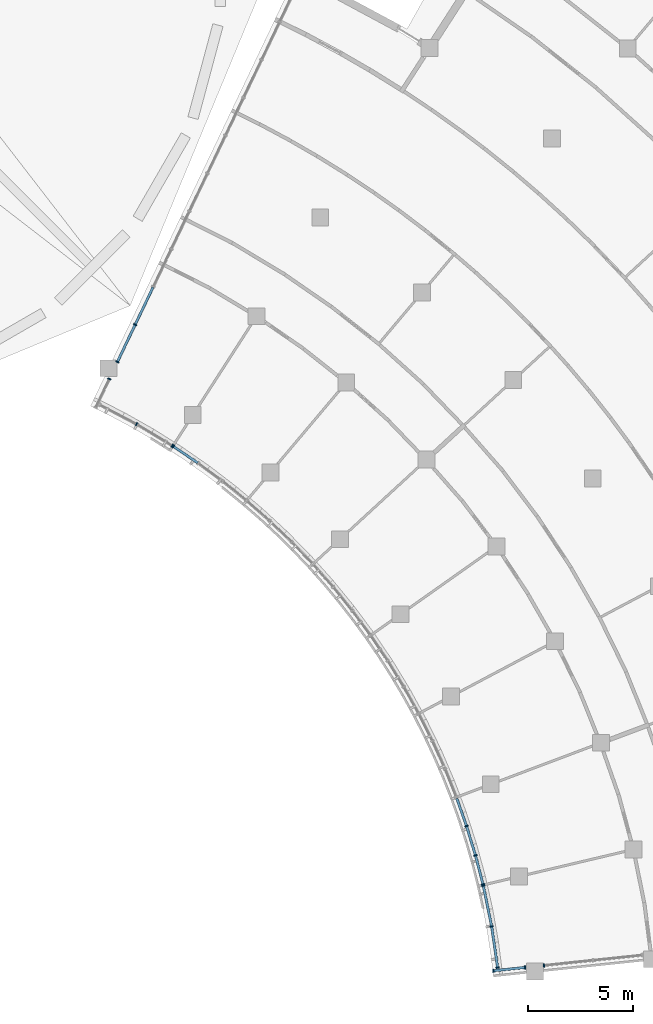
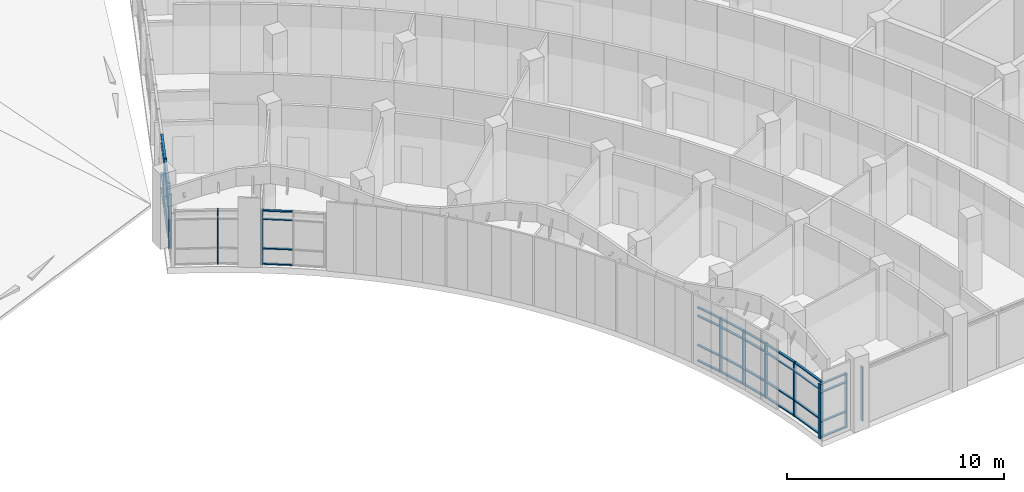
# One storey, part 8 of 137: 51 members, 8 elements without a shape of their own.
"""IFC4 building model written with IfcOpenShell, lengths in metres."""

from ifc_helpers import new_model, si_unit, direction, frame, origin, origin_2d, place, context, subcontext, project, spatial, rectangle, extrude, material, material_profile, profile_set, type_object, element, aggregate, save


model = new_model("IFC4")

# Units and contexts
model_context = context("Model", 3, precision=1e-05, world=origin(), true_north=direction((0.0, 1.0)))
body_context = subcontext(model_context, "Body", "Model", "MODEL_VIEW")
ifc_project = project(units=[si_unit("LENGTHUNIT", "METRE"), si_unit("AREAUNIT", "SQUARE_METRE"), si_unit("VOLUMEUNIT", "CUBIC_METRE"), si_unit("PLANEANGLEUNIT", "RADIAN"), si_unit("MASSUNIT", "GRAM", prefix="KILO")], contexts=[model_context])

# Site, building, storey
site_placement = place(None, origin())
site = spatial("IfcSite", under=ifc_project, at=site_placement, CompositionType="ELEMENT")
building_placement = place(site_placement, origin())
building = spatial("IfcBuilding", under=site, at=building_placement, Name="Bougainvillea Quay General Hospital", CompositionType="ELEMENT")
storey_placement = place(building_placement, frame((0.0, 0.0, 16.800048828125)))
storey = spatial("IfcBuildingStorey", under=building, at=storey_placement, Name="L03", CompositionType="ELEMENT", Elevation=16.800048828125)

# Curtain wall, members
ifc_material_1 = material(Name="Aluminium curtain wall system, powder-coated glazed", Category="aluminium")
curtain_wall_type_1 = type_object("IfcCurtainWallType", Name="Unitised curtain wall CW-1997", PredefinedType="NOTDEFINED", material=ifc_material_1)
curtain_wall_1_placement = place(storey_placement, origin())
curtain_wall_1 = element("IfcCurtainWall", 1, at=curtain_wall_1_placement, inside=storey, type_object=curtain_wall_type_1, Name="CW-AE 02", PredefinedType="NOTDEFINED")
ifc_material_2 = material(Name="Aluminium mullion, powder-coated charcoal", Category="aluminium")
ifc_material_profile_1 = material_profile(ifc_material_2, rectangle(XDim=0.159912109375, YDim=0.06005859375, at=origin_2d()))
ifc_profile_set_1 = profile_set([ifc_material_profile_1], Name="Aluminium mullion, powder-coated charcoal")
member_type_1 = type_object("IfcMemberType", Name="Curtain wall mullion 160x60", PredefinedType="MULLION", material=ifc_profile_set_1)
member_1_placement = place(storey_placement, frame((125.9638671875, 56.566162109375, 0.0), z_axis=(0.0, 0.0, 1.0), x_axis=(0.902578440897, -0.430525444112, 0.0)))
member_1 = element("IfcMember", 2, at=member_1_placement, type_object=member_type_1, Name="CW-AE mullion 10", PredefinedType="MULLION", context=body_context, shape_type="SweptSolid", body=[
    extrude(rectangle(XDim=0.159912109375, YDim=0.06005859375, at=origin_2d()), origin(), (0.0, 0.0, 1.0), 3.050048828125),
])
member_2_placement = place(storey_placement, frame((125.117431640625, 54.79150390625, 0.0), z_axis=(0.0, 0.0, 1.0), x_axis=(0.902578440897, -0.430525444112, 0.0)))
member_2 = element("IfcMember", 3, at=member_2_placement, type_object=member_type_1, Name="CW-AE mullion 11", PredefinedType="MULLION", context=body_context, shape_type="SweptSolid", body=[
    extrude(rectangle(XDim=0.159912109375, YDim=0.06005859375, at=origin_2d()), origin(), (0.0, 0.0, 1.0), 3.050048828125),
])

# Curtain wall, member
curtain_wall_type_2 = type_object("IfcCurtainWallType", Name="Unitised curtain wall CW-1580", PredefinedType="NOTDEFINED", material=ifc_material_1)
curtain_wall_2_placement = place(storey_placement, origin())
curtain_wall_2 = element("IfcCurtainWall", 4, at=curtain_wall_2_placement, inside=storey, type_object=curtain_wall_type_2, Name="CW-AE 03", PredefinedType="NOTDEFINED")
member_3_placement = place(storey_placement, frame((124.72998046875, 53.979248046875, 0.0), z_axis=(0.0, 0.0, 1.0), x_axis=(0.902578440897, -0.430525444112, 0.0)))
member_3 = element("IfcMember", 5, at=member_3_placement, type_object=member_type_1, Name="CW-AE mullion 1", PredefinedType="MULLION", context=body_context, shape_type="SweptSolid", body=[
    extrude(rectangle(XDim=0.159912109375, YDim=0.06005859375, at=origin_2d()), origin(), (0.0, 0.0, 1.0), 3.050048828125),
])
aggregate(curtain_wall_2, [member_3])

# Curtain wall, members
curtain_wall_type_3 = type_object("IfcCurtainWallType", Name="Unitised curtain wall CW-2100", PredefinedType="NOTDEFINED", material=ifc_material_1)
curtain_wall_3_placement = place(storey_placement, origin())
curtain_wall_3 = element("IfcCurtainWall", 6, at=curtain_wall_3_placement, inside=storey, type_object=curtain_wall_type_3, Name="CW-E01 a12b0", PredefinedType="NOTDEFINED")
member_4_placement = place(storey_placement, frame((126.035400390625, 51.82666015625, 0.0), z_axis=(0.0, 0.0, 1.0), x_axis=(0.491544628503, 0.870852385993, 0.0)))
member_4 = element("IfcMember", 7, at=member_4_placement, type_object=member_type_1, Name="CW-E01 mullion 2", PredefinedType="MULLION", context=body_context, shape_type="SweptSolid", body=[
    extrude(rectangle(XDim=0.159912109375, YDim=0.06005859375, at=origin_2d()), origin(), (0.0, 0.0, 1.0), 3.050048828125),
])
member_5_placement = place(storey_placement, frame((127.73388671875, 50.801025390625, 0.0), z_axis=(0.0, 0.0, 1.0), x_axis=(0.516937944525, 0.856022874409, 0.0)))
member_5 = element("IfcMember", 8, at=member_5_placement, type_object=member_type_1, Name="CW-E01 mullion 3", PredefinedType="MULLION", context=body_context, shape_type="SweptSolid", body=[
    extrude(rectangle(XDim=0.159912109375, YDim=0.06005859375, at=origin_2d()), origin(), (0.0, 0.0, 1.0), 3.050048828125),
])
aggregate(curtain_wall_3, [member_4, member_5])

# Curtain wall, member
curtain_wall_4_placement = place(storey_placement, origin())
curtain_wall_4 = element("IfcCurtainWall", 9, at=curtain_wall_4_placement, inside=storey, type_object=curtain_wall_type_3, Name="CW-E02 a12b1", PredefinedType="NOTDEFINED")
member_6_placement = place(storey_placement, frame((127.784423828125, 50.7685546875, 0.0), z_axis=(0.0, 0.0, 1.0), x_axis=(0.559636552705, 0.828738154592, 0.0)))
member_6 = element("IfcMember", 10, at=member_6_placement, type_object=member_type_1, Name="CW-E02 mullion 1", PredefinedType="MULLION", context=body_context, shape_type="SweptSolid", body=[
    extrude(rectangle(XDim=0.159912109375, YDim=0.06005859375, at=origin_2d()), origin(), (0.0, 0.0, 1.0), 3.050048828125),
])

# Curtain wall, members
curtain_wall_5_placement = place(storey_placement, origin())
curtain_wall_5 = element("IfcCurtainWall", 11, at=curtain_wall_5_placement, inside=storey, type_object=curtain_wall_type_3, Name="CW-E07 a12b6", PredefinedType="NOTDEFINED")
member_7_placement = place(storey_placement, frame((141.73828125, 32.692138671875, 0.0), z_axis=(0.0, 0.0, 1.0), x_axis=(0.950022917464, 0.3121801664, 0.0)))
member_7 = element("IfcMember", 12, at=member_7_placement, type_object=member_type_1, Name="CW-E07 mullion 2", PredefinedType="MULLION", context=body_context, shape_type="SweptSolid", body=[
    extrude(rectangle(XDim=0.159912109375, YDim=0.06005859375, at=origin_2d()), origin(), (0.0, 0.0, 1.0), 3.050048828125),
])
member_8_placement = place(storey_placement, frame((142.16357421875, 31.298828125, 0.0), z_axis=(0.0, 0.0, 1.0), x_axis=(0.962439443061, 0.271496442776, 0.0)))
member_8 = element("IfcMember", 13, at=member_8_placement, type_object=member_type_1, Name="CW-E07 mullion 3", PredefinedType="MULLION", context=body_context, shape_type="SweptSolid", body=[
    extrude(rectangle(XDim=0.159912109375, YDim=0.06005859375, at=origin_2d()), origin(), (0.0, 0.0, 1.0), 3.050048828125),
])
member_9_placement = place(storey_placement, frame((142.521484375, 29.91748046875, 0.0), z_axis=(0.0, 0.0, 1.0), x_axis=(0.967995971386, 0.250965733479, 0.0)))
member_9 = element("IfcMember", 14, at=member_9_placement, type_object=member_type_1, Name="CW-E07 mullion 4", PredefinedType="MULLION", context=body_context, shape_type="SweptSolid", body=[
    extrude(rectangle(XDim=0.159912109375, YDim=0.06005859375, at=origin_2d()), origin(), (0.0, 0.0, 1.0), 3.050048828125),
])

curtain_wall_6_placement = place(storey_placement, origin())
curtain_wall_6 = element("IfcCurtainWall", 15, at=curtain_wall_6_placement, inside=storey, type_object=curtain_wall_type_3, Name="CW-E08 a12b7", PredefinedType="NOTDEFINED")
member_10_placement = place(storey_placement, frame((142.53515625, 29.859130859375, 0.0), z_axis=(0.0, 0.0, 1.0), x_axis=(0.979468979674, 0.201594935096, 0.0)))
member_10 = element("IfcMember", 16, at=member_10_placement, type_object=member_type_1, Name="CW-E08 mullion 1", PredefinedType="MULLION", context=body_context, shape_type="SweptSolid", body=[
    extrude(rectangle(XDim=0.159912109375, YDim=0.06005859375, at=origin_2d()), origin(), (0.0, 0.0, 1.0), 3.050048828125),
])
member_11_placement = place(storey_placement, frame((142.935302734375, 27.914794921875, 0.0), z_axis=(0.0, 0.0, 1.0), x_axis=(0.984975544783, 0.172693879972, 0.0)))
member_11 = element("IfcMember", 17, at=member_11_placement, type_object=member_type_1, Name="CW-E08 mullion 2", PredefinedType="MULLION", context=body_context, shape_type="SweptSolid", body=[
    extrude(rectangle(XDim=0.159912109375, YDim=0.06005859375, at=origin_2d()), origin(), (0.0, 0.0, 1.0), 3.050048828125),
])
member_12_placement = place(storey_placement, frame((143.220458984375, 25.9501953125, 0.0), z_axis=(0.0, 0.0, 1.0), x_axis=(0.989629521715, 0.143643342173, 0.0)))
member_12 = element("IfcMember", 18, at=member_12_placement, type_object=member_type_1, Name="CW-E08 mullion 3", PredefinedType="MULLION", context=body_context, shape_type="SweptSolid", body=[
    extrude(rectangle(XDim=0.159912109375, YDim=0.06005859375, at=origin_2d()), origin(), (0.0, 0.0, 1.0), 3.050048828125),
])

curtain_wall_type_4 = type_object("IfcCurtainWallType", Name="Unitised curtain wall CW-1581", PredefinedType="NOTDEFINED", material=ifc_material_1)
curtain_wall_7_placement = place(storey_placement, origin())
curtain_wall_7 = element("IfcCurtainWall", 19, at=curtain_wall_7_placement, inside=storey, type_object=curtain_wall_type_4, Name="CW-AE 00", PredefinedType="NOTDEFINED")
member_13_placement = place(storey_placement, frame((143.017822265625, 25.8056640625, 0.0), z_axis=(0.0, 0.0, 1.0), x_axis=(-0.104527173765, 0.9945220309, 0.0)))
member_13 = element("IfcMember", 20, at=member_13_placement, type_object=member_type_1, Name="CW-AE mullion 1", PredefinedType="MULLION", context=body_context, shape_type="SweptSolid", body=[
    extrude(rectangle(XDim=0.159912109375, YDim=0.06005859375, at=origin_2d()), origin(), (0.0, 0.0, 1.0), 3.050048828125),
])
member_14_placement = place(storey_placement, frame((144.529541015625, 25.964599609375, 0.0), z_axis=(0.0, 0.0, 1.0), x_axis=(-0.104527173765, 0.9945220309, 0.0)))
member_14 = element("IfcMember", 21, at=member_14_placement, type_object=member_type_1, Name="CW-AE mullion 2", PredefinedType="MULLION", context=body_context, shape_type="SweptSolid", body=[
    extrude(rectangle(XDim=0.159912109375, YDim=0.06005859375, at=origin_2d()), origin(), (0.0, 0.0, 1.0), 3.050048828125),
])

# Curtain wall, member
curtain_wall_type_5 = type_object("IfcCurtainWallType", Name="Unitised curtain wall CW-2380", PredefinedType="NOTDEFINED", material=ifc_material_1)
curtain_wall_8_placement = place(storey_placement, origin())
curtain_wall_8 = element("IfcCurtainWall", 22, at=curtain_wall_8_placement, inside=storey, type_object=curtain_wall_type_5, Name="CW-AE 01", PredefinedType="NOTDEFINED")
member_15_placement = place(storey_placement, frame((145.4248046875, 26.058837890625, 0.0), z_axis=(0.0, 0.0, 1.0), x_axis=(-0.104527173765, 0.9945220309, 0.0)))
member_15 = element("IfcMember", 23, at=member_15_placement, type_object=member_type_1, Name="CW-AE mullion 1", PredefinedType="MULLION", context=body_context, shape_type="SweptSolid", body=[
    extrude(rectangle(XDim=0.159912109375, YDim=0.06005859375, at=origin_2d()), origin(), (0.0, 0.0, 1.0), 3.050048828125),
])
aggregate(curtain_wall_8, [member_15])

# Member
ifc_material_3 = material(Name="Aluminium transom, powder-coated charcoal", Category="aluminium")
ifc_material_profile_2 = material_profile(ifc_material_3, rectangle(XDim=0.1201171875, YDim=0.06005859375, at=origin_2d()))
ifc_profile_set_2 = profile_set([ifc_material_profile_2], Name="Aluminium transom, powder-coated charcoal")
member_type_2 = type_object("IfcMemberType", Name="Curtain wall transom 120x60", PredefinedType="USERDEFINED", material=ifc_profile_set_2)
member_16_placement = place(storey_placement, frame((126.810302734375, 58.340576171875, 0.030029296875), z_axis=(-0.430491490236, -0.902594635944, 0.0), x_axis=(0.902594635944, -0.430491490236, 0.0)))
member_16 = element("IfcMember", 24, at=member_16_placement, type_object=member_type_2, Name="CW-AE transom 9.1", ObjectType="TRANSOM", PredefinedType="USERDEFINED", context=body_context, shape_type="SweptSolid", body=[
    extrude(rectangle(XDim=0.1201171875, YDim=0.06005859375, at=origin_2d()), origin(), (0.0, 0.0, 1.0), 1.93603515625),
])

member_17_placement = place(storey_placement, frame((126.810302734375, 58.340576171875, 0.89990234375), z_axis=(-0.430491490236, -0.902594635944, 0.0), x_axis=(0.902594635944, -0.430491490236, 0.0)))
member_17 = element("IfcMember", 25, at=member_17_placement, type_object=member_type_2, Name="CW-AE transom 9.2", ObjectType="TRANSOM", PredefinedType="USERDEFINED", context=body_context, shape_type="SweptSolid", body=[
    extrude(rectangle(XDim=0.1201171875, YDim=0.06005859375, at=origin_2d()), origin(), (0.0, 0.0, 1.0), 1.93603515625),
])

member_18_placement = place(storey_placement, frame((126.810302734375, 58.340576171875, 2.550048828125), z_axis=(-0.430491490236, -0.902594635944, 0.0), x_axis=(0.902594635944, -0.430491490236, 0.0)))
member_18 = element("IfcMember", 26, at=member_18_placement, type_object=member_type_2, Name="CW-AE transom 9.3", ObjectType="TRANSOM", PredefinedType="USERDEFINED", context=body_context, shape_type="SweptSolid", body=[
    extrude(rectangle(XDim=0.1201171875, YDim=0.06005859375, at=origin_2d()), origin(), (0.0, 0.0, 1.0), 1.93603515625),
])

member_19_placement = place(storey_placement, frame((126.810302734375, 58.340576171875, 3.02001953125), z_axis=(-0.430491490236, -0.902594635944, 0.0), x_axis=(0.902594635944, -0.430491490236, 0.0)))
member_19 = element("IfcMember", 27, at=member_19_placement, type_object=member_type_2, Name="CW-AE transom 9.4", ObjectType="TRANSOM", PredefinedType="USERDEFINED", context=body_context, shape_type="SweptSolid", body=[
    extrude(rectangle(XDim=0.1201171875, YDim=0.06005859375, at=origin_2d()), origin(), (0.0, 0.0, 1.0), 1.93603515625),
])

member_20_placement = place(storey_placement, frame((125.950927734375, 56.5390625, 0.030029296875), z_axis=(-0.430485367667, -0.90259755607, 0.0), x_axis=(0.90259755607, -0.430485367667, 0.0)))
member_20 = element("IfcMember", 28, at=member_20_placement, type_object=member_type_2, Name="CW-AE transom 10.1", ObjectType="TRANSOM", PredefinedType="USERDEFINED", context=body_context, shape_type="SweptSolid", body=[
    extrude(rectangle(XDim=0.1201171875, YDim=0.06005859375, at=origin_2d()), origin(), (0.0, 0.0, 1.0), 1.906005859375),
])

member_21_placement = place(storey_placement, frame((125.950927734375, 56.5390625, 0.89990234375), z_axis=(-0.430485367667, -0.90259755607, 0.0), x_axis=(0.90259755607, -0.430485367667, 0.0)))
member_21 = element("IfcMember", 29, at=member_21_placement, type_object=member_type_2, Name="CW-AE transom 10.2", ObjectType="TRANSOM", PredefinedType="USERDEFINED", context=body_context, shape_type="SweptSolid", body=[
    extrude(rectangle(XDim=0.1201171875, YDim=0.06005859375, at=origin_2d()), origin(), (0.0, 0.0, 1.0), 1.906005859375),
])

member_22_placement = place(storey_placement, frame((125.950927734375, 56.5390625, 2.550048828125), z_axis=(-0.430485367667, -0.90259755607, 0.0), x_axis=(0.90259755607, -0.430485367667, 0.0)))
member_22 = element("IfcMember", 30, at=member_22_placement, type_object=member_type_2, Name="CW-AE transom 10.3", ObjectType="TRANSOM", PredefinedType="USERDEFINED", context=body_context, shape_type="SweptSolid", body=[
    extrude(rectangle(XDim=0.1201171875, YDim=0.06005859375, at=origin_2d()), origin(), (0.0, 0.0, 1.0), 1.906005859375),
])

member_23_placement = place(storey_placement, frame((125.950927734375, 56.5390625, 3.02001953125), z_axis=(-0.430485367667, -0.90259755607, 0.0), x_axis=(0.90259755607, -0.430485367667, 0.0)))
member_23 = element("IfcMember", 31, at=member_23_placement, type_object=member_type_2, Name="CW-AE transom 10.4", ObjectType="TRANSOM", PredefinedType="USERDEFINED", context=body_context, shape_type="SweptSolid", body=[
    extrude(rectangle(XDim=0.1201171875, YDim=0.06005859375, at=origin_2d()), origin(), (0.0, 0.0, 1.0), 1.906005859375),
])

aggregate(curtain_wall_1, [member_1, member_2, member_16, member_17, member_18, member_19, member_20, member_21, member_22, member_23])

member_24_placement = place(storey_placement, frame((127.809326171875, 50.751953125, 0.030029296875), z_axis=(0.828627038145, -0.559801064356, 0.0), x_axis=(0.559801064356, 0.828627038145, 0.0)))
member_24 = element("IfcMember", 32, at=member_24_placement, type_object=member_type_2, Name="CW-E02 transom 1.1", ObjectType="TRANSOM", PredefinedType="USERDEFINED", context=body_context, shape_type="SweptSolid", body=[
    extrude(rectangle(XDim=0.1201171875, YDim=0.06005859375, at=origin_2d()), origin(), (0.0, 0.0, 1.0), 1.36669921875),
])

member_25_placement = place(storey_placement, frame((127.809326171875, 50.751953125, 0.89990234375), z_axis=(0.828627038145, -0.559801064356, 0.0), x_axis=(0.559801064356, 0.828627038145, 0.0)))
member_25 = element("IfcMember", 33, at=member_25_placement, type_object=member_type_2, Name="CW-E02 transom 1.2", ObjectType="TRANSOM", PredefinedType="USERDEFINED", context=body_context, shape_type="SweptSolid", body=[
    extrude(rectangle(XDim=0.1201171875, YDim=0.06005859375, at=origin_2d()), origin(), (0.0, 0.0, 1.0), 1.36669921875),
])

member_26_placement = place(storey_placement, frame((127.809326171875, 50.751953125, 2.550048828125), z_axis=(0.828627038145, -0.559801064356, 0.0), x_axis=(0.559801064356, 0.828627038145, 0.0)))
member_26 = element("IfcMember", 34, at=member_26_placement, type_object=member_type_2, Name="CW-E02 transom 1.3", ObjectType="TRANSOM", PredefinedType="USERDEFINED", context=body_context, shape_type="SweptSolid", body=[
    extrude(rectangle(XDim=0.1201171875, YDim=0.06005859375, at=origin_2d()), origin(), (0.0, 0.0, 1.0), 1.36669921875),
])

member_27_placement = place(storey_placement, frame((127.809326171875, 50.751953125, 3.02001953125), z_axis=(0.828627038145, -0.559801064356, 0.0), x_axis=(0.559801064356, 0.828627038145, 0.0)))
member_27 = element("IfcMember", 35, at=member_27_placement, type_object=member_type_2, Name="CW-E02 transom 1.4", ObjectType="TRANSOM", PredefinedType="USERDEFINED", context=body_context, shape_type="SweptSolid", body=[
    extrude(rectangle(XDim=0.1201171875, YDim=0.06005859375, at=origin_2d()), origin(), (0.0, 0.0, 1.0), 1.36669921875),
])

aggregate(curtain_wall_4, [member_6, member_24, member_25, member_26, member_27])

member_28_placement = place(storey_placement, frame((141.27392578125, 34.009521484375, 0.030029296875), z_axis=(0.332418322069, -0.943132047569, 0.0), x_axis=(0.943132047569, 0.332418322069, 0.0)))
member_28 = element("IfcMember", 36, at=member_28_placement, type_object=member_type_2, Name="CW-E07 transom 1.1", ObjectType="TRANSOM", PredefinedType="USERDEFINED", context=body_context, shape_type="SweptSolid", body=[
    extrude(rectangle(XDim=0.1201171875, YDim=0.06005859375, at=origin_2d()), origin(), (0.0, 0.0, 1.0), 1.36669921875),
])

member_29_placement = place(storey_placement, frame((141.27392578125, 34.009521484375, 0.89990234375), z_axis=(0.332418322069, -0.943132047569, 0.0), x_axis=(0.943132047569, 0.332418322069, 0.0)))
member_29 = element("IfcMember", 37, at=member_29_placement, type_object=member_type_2, Name="CW-E07 transom 1.2", ObjectType="TRANSOM", PredefinedType="USERDEFINED", context=body_context, shape_type="SweptSolid", body=[
    extrude(rectangle(XDim=0.1201171875, YDim=0.06005859375, at=origin_2d()), origin(), (0.0, 0.0, 1.0), 1.36669921875),
])

member_30_placement = place(storey_placement, frame((141.27392578125, 34.009521484375, 2.550048828125), z_axis=(0.332418322069, -0.943132047569, 0.0), x_axis=(0.943132047569, 0.332418322069, 0.0)))
member_30 = element("IfcMember", 38, at=member_30_placement, type_object=member_type_2, Name="CW-E07 transom 1.3", ObjectType="TRANSOM", PredefinedType="USERDEFINED", context=body_context, shape_type="SweptSolid", body=[
    extrude(rectangle(XDim=0.1201171875, YDim=0.06005859375, at=origin_2d()), origin(), (0.0, 0.0, 1.0), 1.36669921875),
])

member_31_placement = place(storey_placement, frame((141.27392578125, 34.009521484375, 3.02001953125), z_axis=(0.332418322069, -0.943132047569, 0.0), x_axis=(0.943132047569, 0.332418322069, 0.0)))
member_31 = element("IfcMember", 39, at=member_31_placement, type_object=member_type_2, Name="CW-E07 transom 1.4", ObjectType="TRANSOM", PredefinedType="USERDEFINED", context=body_context, shape_type="SweptSolid", body=[
    extrude(rectangle(XDim=0.1201171875, YDim=0.06005859375, at=origin_2d()), origin(), (0.0, 0.0, 1.0), 1.36669921875),
])

member_32_placement = place(storey_placement, frame((141.7470703125, 32.66357421875, 0.030029296875), z_axis=(0.291849999923, -0.956464101545, 0.0), x_axis=(0.956464101545, 0.291849999923, 0.0)))
member_32 = element("IfcMember", 40, at=member_32_placement, type_object=member_type_2, Name="CW-E07 transom 2.1", ObjectType="TRANSOM", PredefinedType="USERDEFINED", context=body_context, shape_type="SweptSolid", body=[
    extrude(rectangle(XDim=0.1201171875, YDim=0.06005859375, at=origin_2d()), origin(), (0.0, 0.0, 1.0), 1.39697265625),
])

member_33_placement = place(storey_placement, frame((141.7470703125, 32.66357421875, 0.89990234375), z_axis=(0.291849999923, -0.956464101545, 0.0), x_axis=(0.956464101545, 0.291849999923, 0.0)))
member_33 = element("IfcMember", 41, at=member_33_placement, type_object=member_type_2, Name="CW-E07 transom 2.2", ObjectType="TRANSOM", PredefinedType="USERDEFINED", context=body_context, shape_type="SweptSolid", body=[
    extrude(rectangle(XDim=0.1201171875, YDim=0.06005859375, at=origin_2d()), origin(), (0.0, 0.0, 1.0), 1.39697265625),
])

member_34_placement = place(storey_placement, frame((141.7470703125, 32.66357421875, 2.550048828125), z_axis=(0.291849999923, -0.956464101545, 0.0), x_axis=(0.956464101545, 0.291849999923, 0.0)))
member_34 = element("IfcMember", 42, at=member_34_placement, type_object=member_type_2, Name="CW-E07 transom 2.3", ObjectType="TRANSOM", PredefinedType="USERDEFINED", context=body_context, shape_type="SweptSolid", body=[
    extrude(rectangle(XDim=0.1201171875, YDim=0.06005859375, at=origin_2d()), origin(), (0.0, 0.0, 1.0), 1.39697265625),
])

member_35_placement = place(storey_placement, frame((141.7470703125, 32.66357421875, 3.02001953125), z_axis=(0.291849999923, -0.956464101545, 0.0), x_axis=(0.956464101545, 0.291849999923, 0.0)))
member_35 = element("IfcMember", 43, at=member_35_placement, type_object=member_type_2, Name="CW-E07 transom 2.4", ObjectType="TRANSOM", PredefinedType="USERDEFINED", context=body_context, shape_type="SweptSolid", body=[
    extrude(rectangle(XDim=0.1201171875, YDim=0.06005859375, at=origin_2d()), origin(), (0.0, 0.0, 1.0), 1.39697265625),
])

member_36_placement = place(storey_placement, frame((142.1708984375, 31.269775390625, 0.030029296875), z_axis=(0.251098509597, -0.967961537706, 0.0), x_axis=(0.967961537706, 0.251098509597, 0.0)))
member_36 = element("IfcMember", 44, at=member_36_placement, type_object=member_type_2, Name="CW-E07 transom 3.1", ObjectType="TRANSOM", PredefinedType="USERDEFINED", context=body_context, shape_type="SweptSolid", body=[
    extrude(rectangle(XDim=0.1201171875, YDim=0.06005859375, at=origin_2d()), origin(), (0.0, 0.0, 1.0), 1.366943359375),
])

member_37_placement = place(storey_placement, frame((142.1708984375, 31.269775390625, 0.89990234375), z_axis=(0.251098509597, -0.967961537706, 0.0), x_axis=(0.967961537706, 0.251098509597, 0.0)))
member_37 = element("IfcMember", 45, at=member_37_placement, type_object=member_type_2, Name="CW-E07 transom 3.2", ObjectType="TRANSOM", PredefinedType="USERDEFINED", context=body_context, shape_type="SweptSolid", body=[
    extrude(rectangle(XDim=0.1201171875, YDim=0.06005859375, at=origin_2d()), origin(), (0.0, 0.0, 1.0), 1.366943359375),
])

member_38_placement = place(storey_placement, frame((142.1708984375, 31.269775390625, 2.550048828125), z_axis=(0.251098509597, -0.967961537706, 0.0), x_axis=(0.967961537706, 0.251098509597, 0.0)))
member_38 = element("IfcMember", 46, at=member_38_placement, type_object=member_type_2, Name="CW-E07 transom 3.3", ObjectType="TRANSOM", PredefinedType="USERDEFINED", context=body_context, shape_type="SweptSolid", body=[
    extrude(rectangle(XDim=0.1201171875, YDim=0.06005859375, at=origin_2d()), origin(), (0.0, 0.0, 1.0), 1.366943359375),
])

member_39_placement = place(storey_placement, frame((142.1708984375, 31.269775390625, 3.02001953125), z_axis=(0.251098509597, -0.967961537706, 0.0), x_axis=(0.967961537706, 0.251098509597, 0.0)))
member_39 = element("IfcMember", 47, at=member_39_placement, type_object=member_type_2, Name="CW-E07 transom 3.4", ObjectType="TRANSOM", PredefinedType="USERDEFINED", context=body_context, shape_type="SweptSolid", body=[
    extrude(rectangle(XDim=0.1201171875, YDim=0.06005859375, at=origin_2d()), origin(), (0.0, 0.0, 1.0), 1.366943359375),
])

aggregate(curtain_wall_5, [member_7, member_8, member_9, member_28, member_29, member_30, member_31, member_32, member_33, member_34, member_35, member_36, member_37, member_38, member_39])

member_40_placement = place(storey_placement, frame((142.541259765625, 29.829833984375, 0.030029296875), z_axis=(0.201502639399, -0.979487971501, 0.0), x_axis=(0.979487971501, 0.201502639399, 0.0)))
member_40 = element("IfcMember", 48, at=member_40_placement, type_object=member_type_2, Name="CW-E08 transom 1.1", ObjectType="TRANSOM", PredefinedType="USERDEFINED", context=body_context, shape_type="SweptSolid", body=[
    extrude(rectangle(XDim=0.1201171875, YDim=0.06005859375, at=origin_2d()), origin(), (0.0, 0.0, 1.0), 1.92529296875),
])

member_41_placement = place(storey_placement, frame((142.541259765625, 29.829833984375, 0.89990234375), z_axis=(0.201502639399, -0.979487971501, 0.0), x_axis=(0.979487971501, 0.201502639399, 0.0)))
member_41 = element("IfcMember", 49, at=member_41_placement, type_object=member_type_2, Name="CW-E08 transom 1.2", ObjectType="TRANSOM", PredefinedType="USERDEFINED", context=body_context, shape_type="SweptSolid", body=[
    extrude(rectangle(XDim=0.1201171875, YDim=0.06005859375, at=origin_2d()), origin(), (0.0, 0.0, 1.0), 1.92529296875),
])

member_42_placement = place(storey_placement, frame((142.541259765625, 29.829833984375, 2.550048828125), z_axis=(0.201502639399, -0.979487971501, 0.0), x_axis=(0.979487971501, 0.201502639399, 0.0)))
member_42 = element("IfcMember", 50, at=member_42_placement, type_object=member_type_2, Name="CW-E08 transom 1.3", ObjectType="TRANSOM", PredefinedType="USERDEFINED", context=body_context, shape_type="SweptSolid", body=[
    extrude(rectangle(XDim=0.1201171875, YDim=0.06005859375, at=origin_2d()), origin(), (0.0, 0.0, 1.0), 1.92529296875),
])

member_43_placement = place(storey_placement, frame((142.541259765625, 29.829833984375, 3.02001953125), z_axis=(0.201502639399, -0.979487971501, 0.0), x_axis=(0.979487971501, 0.201502639399, 0.0)))
member_43 = element("IfcMember", 51, at=member_43_placement, type_object=member_type_2, Name="CW-E08 transom 1.4", ObjectType="TRANSOM", PredefinedType="USERDEFINED", context=body_context, shape_type="SweptSolid", body=[
    extrude(rectangle(XDim=0.1201171875, YDim=0.06005859375, at=origin_2d()), origin(), (0.0, 0.0, 1.0), 1.92529296875),
])

member_44_placement = place(storey_placement, frame((142.939697265625, 27.885009765625, 0.030029296875), z_axis=(0.143569492441, -0.989640238087, 0.0), x_axis=(0.989640238087, 0.143569492441, 0.0)))
member_44 = element("IfcMember", 52, at=member_44_placement, type_object=member_type_2, Name="CW-E08 transom 2.1", ObjectType="TRANSOM", PredefinedType="USERDEFINED", context=body_context, shape_type="SweptSolid", body=[
    extrude(rectangle(XDim=0.1201171875, YDim=0.06005859375, at=origin_2d()), origin(), (0.0, 0.0, 1.0), 1.925048828125),
])

member_45_placement = place(storey_placement, frame((142.939697265625, 27.885009765625, 0.89990234375), z_axis=(0.143569492441, -0.989640238087, 0.0), x_axis=(0.989640238087, 0.143569492441, 0.0)))
member_45 = element("IfcMember", 53, at=member_45_placement, type_object=member_type_2, Name="CW-E08 transom 2.2", ObjectType="TRANSOM", PredefinedType="USERDEFINED", context=body_context, shape_type="SweptSolid", body=[
    extrude(rectangle(XDim=0.1201171875, YDim=0.06005859375, at=origin_2d()), origin(), (0.0, 0.0, 1.0), 1.925048828125),
])

member_46_placement = place(storey_placement, frame((142.939697265625, 27.885009765625, 2.550048828125), z_axis=(0.143569492441, -0.989640238087, 0.0), x_axis=(0.989640238087, 0.143569492441, 0.0)))
member_46 = element("IfcMember", 54, at=member_46_placement, type_object=member_type_2, Name="CW-E08 transom 2.3", ObjectType="TRANSOM", PredefinedType="USERDEFINED", context=body_context, shape_type="SweptSolid", body=[
    extrude(rectangle(XDim=0.1201171875, YDim=0.06005859375, at=origin_2d()), origin(), (0.0, 0.0, 1.0), 1.925048828125),
])

member_47_placement = place(storey_placement, frame((142.939697265625, 27.885009765625, 3.02001953125), z_axis=(0.143569492441, -0.989640238087, 0.0), x_axis=(0.989640238087, 0.143569492441, 0.0)))
member_47 = element("IfcMember", 55, at=member_47_placement, type_object=member_type_2, Name="CW-E08 transom 2.4", ObjectType="TRANSOM", PredefinedType="USERDEFINED", context=body_context, shape_type="SweptSolid", body=[
    extrude(rectangle(XDim=0.1201171875, YDim=0.06005859375, at=origin_2d()), origin(), (0.0, 0.0, 1.0), 1.925048828125),
])

aggregate(curtain_wall_6, [member_10, member_11, member_12, member_40, member_41, member_42, member_43, member_44, member_45, member_46, member_47])

member_48_placement = place(storey_placement, frame((143.047607421875, 25.808837890625, 0.030029296875), z_axis=(0.994524675946, 0.10450200445, 0.0), x_axis=(-0.10450200445, 0.994524675946, 0.0)))
member_48 = element("IfcMember", 56, at=member_48_placement, type_object=member_type_2, Name="CW-AE transom 1.1", ObjectType="TRANSOM", PredefinedType="USERDEFINED", context=body_context, shape_type="SweptSolid", body=[
    extrude(rectangle(XDim=0.1201171875, YDim=0.06005859375, at=origin_2d()), origin(), (0.0, 0.0, 1.0), 1.460205078125),
])

member_49_placement = place(storey_placement, frame((143.047607421875, 25.808837890625, 0.89990234375), z_axis=(0.994524675946, 0.10450200445, 0.0), x_axis=(-0.10450200445, 0.994524675946, 0.0)))
member_49 = element("IfcMember", 57, at=member_49_placement, type_object=member_type_2, Name="CW-AE transom 1.2", ObjectType="TRANSOM", PredefinedType="USERDEFINED", context=body_context, shape_type="SweptSolid", body=[
    extrude(rectangle(XDim=0.1201171875, YDim=0.06005859375, at=origin_2d()), origin(), (0.0, 0.0, 1.0), 1.460205078125),
])

member_50_placement = place(storey_placement, frame((143.047607421875, 25.808837890625, 2.550048828125), z_axis=(0.994524675946, 0.10450200445, 0.0), x_axis=(-0.10450200445, 0.994524675946, 0.0)))
member_50 = element("IfcMember", 58, at=member_50_placement, type_object=member_type_2, Name="CW-AE transom 1.3", ObjectType="TRANSOM", PredefinedType="USERDEFINED", context=body_context, shape_type="SweptSolid", body=[
    extrude(rectangle(XDim=0.1201171875, YDim=0.06005859375, at=origin_2d()), origin(), (0.0, 0.0, 1.0), 1.460205078125),
])

member_51_placement = place(storey_placement, frame((143.047607421875, 25.808837890625, 3.02001953125), z_axis=(0.994524675946, 0.10450200445, 0.0), x_axis=(-0.10450200445, 0.994524675946, 0.0)))
member_51 = element("IfcMember", 59, at=member_51_placement, type_object=member_type_2, Name="CW-AE transom 1.4", ObjectType="TRANSOM", PredefinedType="USERDEFINED", context=body_context, shape_type="SweptSolid", body=[
    extrude(rectangle(XDim=0.1201171875, YDim=0.06005859375, at=origin_2d()), origin(), (0.0, 0.0, 1.0), 1.460205078125),
])

aggregate(curtain_wall_7, [member_13, member_14, member_48, member_49, member_50, member_51])

save(model, "model.ifc")
